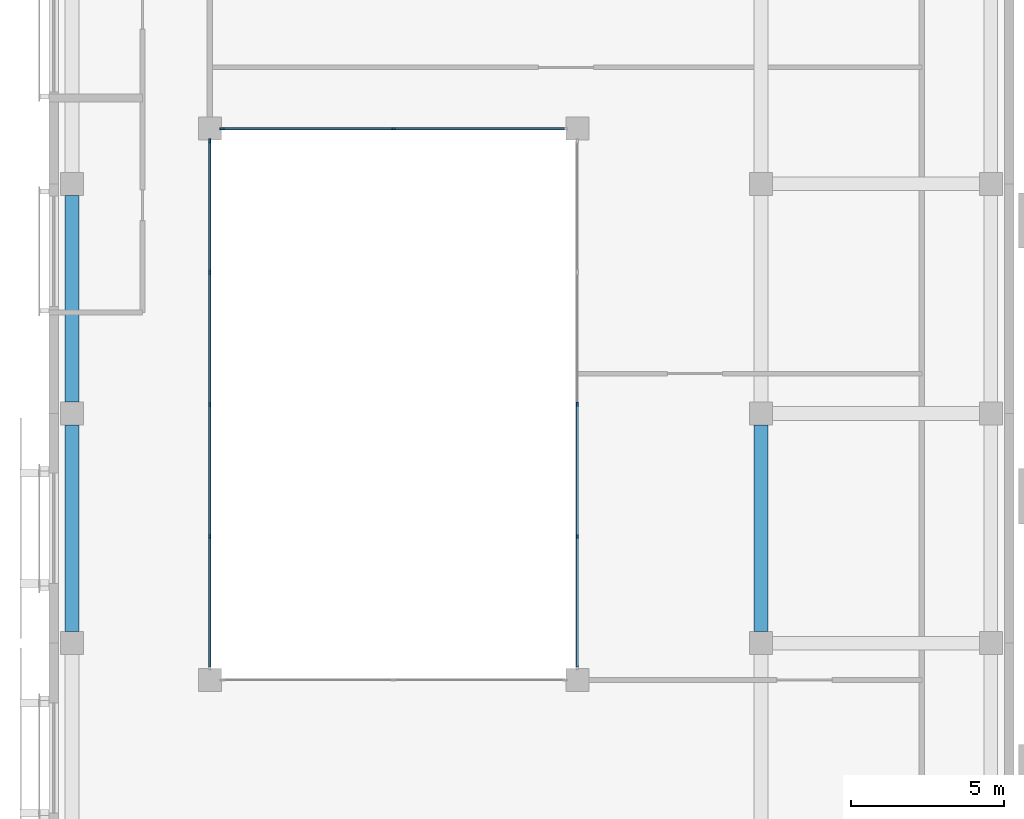
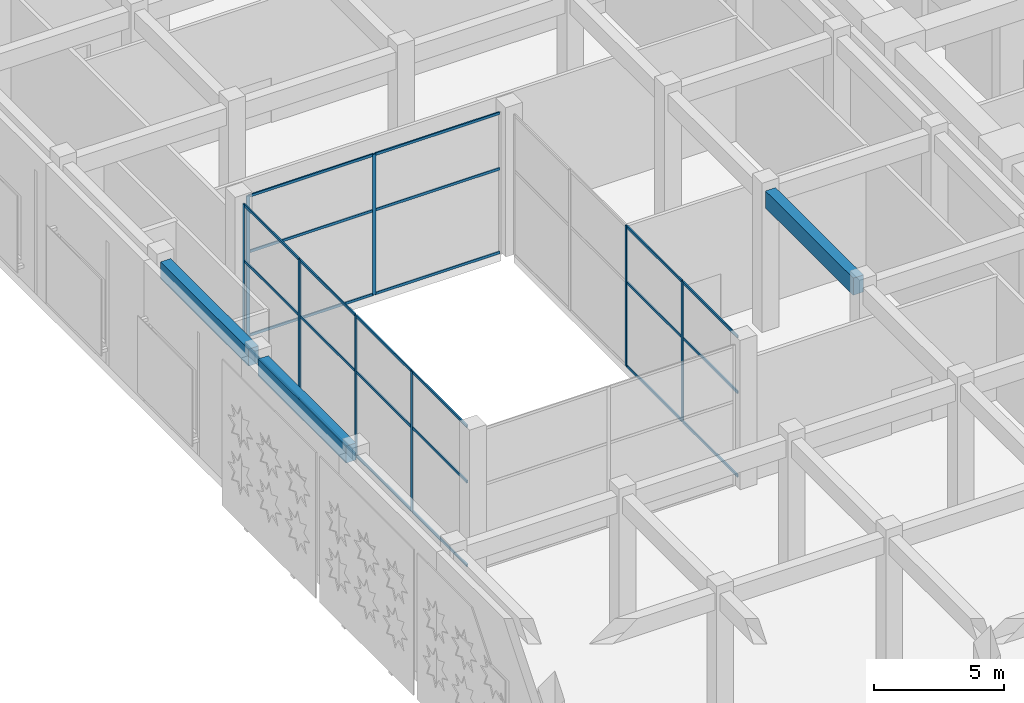
# One storey, part 3 of 42: 32 members, 3 beams, 3 elements without a shape of their own.
"""IFC4 building model written with IfcOpenShell, lengths in metres."""

from ifc_helpers import new_model, si_unit, direction, frame, origin, origin_2d, place, context, subcontext, project, spatial, rectangle, extrude, material, layer, layer_set, material_profile, profile_set, type_object, element, aggregate, save


model = new_model("IFC4")

# Units and contexts
model_context = context("Model", 3, precision=1e-05, world=origin(), true_north=direction((0.0, 1.0)))
body_context = subcontext(model_context, "Body", "Model", "MODEL_VIEW")
ifc_project = project(units=[si_unit("LENGTHUNIT", "METRE"), si_unit("AREAUNIT", "SQUARE_METRE"), si_unit("VOLUMEUNIT", "CUBIC_METRE"), si_unit("PLANEANGLEUNIT", "RADIAN"), si_unit("MASSUNIT", "GRAM", prefix="KILO")], contexts=[model_context])

# Site, building, storey
site_placement = place(None, origin())
site = spatial("IfcSite", under=ifc_project, at=site_placement, CompositionType="ELEMENT")
building_placement = place(site_placement, origin())
building = spatial("IfcBuilding", under=site, at=building_placement, Name="Tessera Arch", CompositionType="ELEMENT")
storey_placement = place(building_placement, frame((0.0, 0.0, 14.0)))
storey = spatial("IfcBuildingStorey", under=building, at=storey_placement, Name="L02", CompositionType="ELEMENT", Elevation=14.0)

# Curtain wall, members
ifc_material_1 = material(Name="Aluminium and clear glass", Category="aluminium")
ifc_layer = layer(ifc_material_1, 0.1201171875)
ifc_layer_set = layer_set([ifc_layer], Name="Courtyard curtain wall")
curtain_wall_type = type_object("IfcCurtainWallType", Name="Courtyard curtain wall", PredefinedType="NOTDEFINED", material=ifc_layer_set)
curtain_wall_1_placement = place(storey_placement, origin())
curtain_wall_1 = element("IfcCurtainWall", 1, at=curtain_wall_1_placement, inside=storey, type_object=curtain_wall_type, Name="Courtyard curtain wall L02 2", PredefinedType="NOTDEFINED")
ifc_material_2 = material(Name="Aluminium alloy anodised", Category="aluminium")
ifc_material_profile_1 = material_profile(ifc_material_2, rectangle(XDim=0.06005859375, YDim=0.14990234375, at=origin_2d()), Name="Courtyard mullion")
ifc_profile_set_1 = profile_set([ifc_material_profile_1], Name="Aluminium alloy anodised")
member_type_1 = type_object("IfcMemberType", Name="Courtyard mullion", PredefinedType="MULLION", material=ifc_profile_set_1)
member_1_placement = place(storey_placement, frame((-15.300048828125, 16.6875, 0.0), z_axis=(0.0, 0.0, 1.0), x_axis=(-1.0, 0.0, 0.0)))
member_1 = element("IfcMember", 2, at=member_1_placement, type_object=member_type_1, Name="MCW1 mullion 2", PredefinedType="MULLION", context=body_context, shape_type="SweptSolid", body=[
    extrude(rectangle(XDim=0.06005859375, YDim=0.14990234375, at=origin_2d()), origin(), (0.0, 0.0, 1.0), 6.590087890625),
])
member_2_placement = place(storey_placement, frame((-15.300048828125, 21.0, 0.0), z_axis=(0.0, 0.0, 1.0), x_axis=(-1.0, 0.0, 0.0)))
member_2 = element("IfcMember", 3, at=member_2_placement, type_object=member_type_1, Name="MCW1 mullion 3", PredefinedType="MULLION", context=body_context, shape_type="SweptSolid", body=[
    extrude(rectangle(XDim=0.06005859375, YDim=0.14990234375, at=origin_2d()), origin(), (0.0, 0.0, 1.0), 6.590087890625),
])

curtain_wall_2_placement = place(storey_placement, origin())
curtain_wall_2 = element("IfcCurtainWall", 4, at=curtain_wall_2_placement, inside=storey, type_object=curtain_wall_type, Name="Courtyard curtain wall L02 3", PredefinedType="NOTDEFINED")
member_3_placement = place(storey_placement, frame((-21.300048828125, 30.0, 0.0), z_axis=(0.0, 0.0, 1.0), x_axis=(0.0, -1.0, 0.0)))
member_3 = element("IfcMember", 5, at=member_3_placement, type_object=member_type_1, Name="MCW1 mullion 2", PredefinedType="MULLION", context=body_context, shape_type="SweptSolid", body=[
    extrude(rectangle(XDim=0.06005859375, YDim=0.14990234375, at=origin_2d()), origin(), (0.0, 0.0, 1.0), 6.590087890625),
])
member_4_placement = place(storey_placement, frame((-26.89501953125, 30.0, 0.0), z_axis=(0.0, 0.0, 1.0), x_axis=(0.0, -1.0, 0.0)))
member_4 = element("IfcMember", 6, at=member_4_placement, type_object=member_type_1, Name="MCW1 mullion 3", PredefinedType="MULLION", context=body_context, shape_type="SweptSolid", body=[
    extrude(rectangle(XDim=0.06005859375, YDim=0.14990234375, at=origin_2d()), origin(), (0.0, 0.0, 1.0), 6.590087890625),
])

curtain_wall_3_placement = place(storey_placement, origin())
curtain_wall_3 = element("IfcCurtainWall", 7, at=curtain_wall_3_placement, inside=storey, type_object=curtain_wall_type, Name="Courtyard curtain wall L02 4", PredefinedType="NOTDEFINED")
member_5_placement = place(storey_placement, frame((-27.300048828125, 29.594970703125, 0.0), z_axis=(0.0, 0.0, 1.0), x_axis=(1.0, 0.0, 0.0)))
member_5 = element("IfcMember", 8, at=member_5_placement, type_object=member_type_1, Name="MCW1 mullion 1", PredefinedType="MULLION", context=body_context, shape_type="SweptSolid", body=[
    extrude(rectangle(XDim=0.06005859375, YDim=0.14990234375, at=origin_2d()), origin(), (0.0, 0.0, 1.0), 6.590087890625),
])
member_6_placement = place(storey_placement, frame((-27.300048828125, 25.3125, 0.0), z_axis=(0.0, 0.0, 1.0), x_axis=(1.0, 0.0, 0.0)))
member_6 = element("IfcMember", 9, at=member_6_placement, type_object=member_type_1, Name="MCW1 mullion 2", PredefinedType="MULLION", context=body_context, shape_type="SweptSolid", body=[
    extrude(rectangle(XDim=0.06005859375, YDim=0.14990234375, at=origin_2d()), origin(), (0.0, 0.0, 1.0), 6.590087890625),
])
member_7_placement = place(storey_placement, frame((-27.300048828125, 21.0, 0.0), z_axis=(0.0, 0.0, 1.0), x_axis=(1.0, 0.0, 0.0)))
member_7 = element("IfcMember", 10, at=member_7_placement, type_object=member_type_1, Name="MCW1 mullion 3", PredefinedType="MULLION", context=body_context, shape_type="SweptSolid", body=[
    extrude(rectangle(XDim=0.06005859375, YDim=0.14990234375, at=origin_2d()), origin(), (0.0, 0.0, 1.0), 6.590087890625),
])
member_8_placement = place(storey_placement, frame((-27.300048828125, 16.6875, 0.0), z_axis=(0.0, 0.0, 1.0), x_axis=(1.0, 0.0, 0.0)))
member_8 = element("IfcMember", 11, at=member_8_placement, type_object=member_type_1, Name="MCW1 mullion 4", PredefinedType="MULLION", context=body_context, shape_type="SweptSolid", body=[
    extrude(rectangle(XDim=0.06005859375, YDim=0.14990234375, at=origin_2d()), origin(), (0.0, 0.0, 1.0), 6.590087890625),
])

# Member
ifc_material_3 = material(Name="Aluminium alloy anodised", Category="aluminium")
ifc_material_profile_2 = material_profile(ifc_material_3, rectangle(XDim=0.06005859375, YDim=0.1201171875, at=origin_2d()), Name="Courtyard transom")
ifc_profile_set_2 = profile_set([ifc_material_profile_2], Name="Aluminium alloy anodised")
member_type_2 = type_object("IfcMemberType", Name="Courtyard transom", PredefinedType="USERDEFINED", material=ifc_profile_set_2)
member_9_placement = place(storey_placement, frame((-15.300048828125, 12.43505859375, 0.030029296875), z_axis=(0.0, 1.0, 0.0), x_axis=(-1.0, 0.0, 0.0)))
member_9 = element("IfcMember", 12, at=member_9_placement, type_object=member_type_2, Name="MCW1 transom 1.1", ObjectType="TRANSOM", PredefinedType="USERDEFINED", context=body_context, shape_type="SweptSolid", body=[
    extrude(rectangle(XDim=0.06005859375, YDim=0.1201171875, at=origin_2d()), origin(), (0.0, 0.0, 1.0), 4.222412109375),
])

member_10_placement = place(storey_placement, frame((-15.300048828125, 12.43505859375, 3.9541015625), z_axis=(0.0, 1.0, 0.0), x_axis=(-1.0, 0.0, 0.0)))
member_10 = element("IfcMember", 13, at=member_10_placement, type_object=member_type_2, Name="MCW1 transom 1.2", ObjectType="TRANSOM", PredefinedType="USERDEFINED", context=body_context, shape_type="SweptSolid", body=[
    extrude(rectangle(XDim=0.06005859375, YDim=0.1201171875, at=origin_2d()), origin(), (0.0, 0.0, 1.0), 4.222412109375),
])

member_11_placement = place(storey_placement, frame((-15.300048828125, 12.43505859375, 6.56005859375), z_axis=(0.0, 1.0, 0.0), x_axis=(-1.0, 0.0, 0.0)))
member_11 = element("IfcMember", 14, at=member_11_placement, type_object=member_type_2, Name="MCW1 transom 1.3", ObjectType="TRANSOM", PredefinedType="USERDEFINED", context=body_context, shape_type="SweptSolid", body=[
    extrude(rectangle(XDim=0.06005859375, YDim=0.1201171875, at=origin_2d()), origin(), (0.0, 0.0, 1.0), 4.222412109375),
])

member_12_placement = place(storey_placement, frame((-15.300048828125, 16.717529296875, 0.030029296875), z_axis=(0.0, 1.0, 0.0), x_axis=(-1.0, 0.0, 0.0)))
member_12 = element("IfcMember", 15, at=member_12_placement, type_object=member_type_2, Name="MCW1 transom 2.1", ObjectType="TRANSOM", PredefinedType="USERDEFINED", context=body_context, shape_type="SweptSolid", body=[
    extrude(rectangle(XDim=0.06005859375, YDim=0.1201171875, at=origin_2d()), origin(), (0.0, 0.0, 1.0), 4.25244140625),
])

member_13_placement = place(storey_placement, frame((-15.300048828125, 16.717529296875, 3.9541015625), z_axis=(0.0, 1.0, 0.0), x_axis=(-1.0, 0.0, 0.0)))
member_13 = element("IfcMember", 16, at=member_13_placement, type_object=member_type_2, Name="MCW1 transom 2.2", ObjectType="TRANSOM", PredefinedType="USERDEFINED", context=body_context, shape_type="SweptSolid", body=[
    extrude(rectangle(XDim=0.06005859375, YDim=0.1201171875, at=origin_2d()), origin(), (0.0, 0.0, 1.0), 4.25244140625),
])

member_14_placement = place(storey_placement, frame((-15.300048828125, 16.717529296875, 6.56005859375), z_axis=(0.0, 1.0, 0.0), x_axis=(-1.0, 0.0, 0.0)))
member_14 = element("IfcMember", 17, at=member_14_placement, type_object=member_type_2, Name="MCW1 transom 2.3", ObjectType="TRANSOM", PredefinedType="USERDEFINED", context=body_context, shape_type="SweptSolid", body=[
    extrude(rectangle(XDim=0.06005859375, YDim=0.1201171875, at=origin_2d()), origin(), (0.0, 0.0, 1.0), 4.25244140625),
])

aggregate(curtain_wall_1, [member_1, member_2, member_9, member_10, member_11, member_12, member_13, member_14])

member_15_placement = place(storey_placement, frame((-15.735107421875, 30.0, 0.030029296875), z_axis=(-1.0, 0.0, 0.0), x_axis=(0.0, -1.0, 0.0)))
member_15 = element("IfcMember", 18, at=member_15_placement, type_object=member_type_2, Name="MCW1 transom 1.1", ObjectType="TRANSOM", PredefinedType="USERDEFINED", context=body_context, shape_type="SweptSolid", body=[
    extrude(rectangle(XDim=0.06005859375, YDim=0.1201171875, at=origin_2d()), origin(), (0.0, 0.0, 1.0), 5.534912109375),
])

member_16_placement = place(storey_placement, frame((-15.735107421875, 30.0, 3.9541015625), z_axis=(-1.0, 0.0, 0.0), x_axis=(0.0, -1.0, 0.0)))
member_16 = element("IfcMember", 19, at=member_16_placement, type_object=member_type_2, Name="MCW1 transom 1.2", ObjectType="TRANSOM", PredefinedType="USERDEFINED", context=body_context, shape_type="SweptSolid", body=[
    extrude(rectangle(XDim=0.06005859375, YDim=0.1201171875, at=origin_2d()), origin(), (0.0, 0.0, 1.0), 5.534912109375),
])

member_17_placement = place(storey_placement, frame((-15.735107421875, 30.0, 6.56005859375), z_axis=(-1.0, 0.0, 0.0), x_axis=(0.0, -1.0, 0.0)))
member_17 = element("IfcMember", 20, at=member_17_placement, type_object=member_type_2, Name="MCW1 transom 1.3", ObjectType="TRANSOM", PredefinedType="USERDEFINED", context=body_context, shape_type="SweptSolid", body=[
    extrude(rectangle(XDim=0.06005859375, YDim=0.1201171875, at=origin_2d()), origin(), (0.0, 0.0, 1.0), 5.534912109375),
])

member_18_placement = place(storey_placement, frame((-21.330078125, 30.0, 0.030029296875), z_axis=(-1.0, 0.0, 0.0), x_axis=(0.0, -1.0, 0.0)))
member_18 = element("IfcMember", 21, at=member_18_placement, type_object=member_type_2, Name="MCW1 transom 2.1", ObjectType="TRANSOM", PredefinedType="USERDEFINED", context=body_context, shape_type="SweptSolid", body=[
    extrude(rectangle(XDim=0.06005859375, YDim=0.1201171875, at=origin_2d()), origin(), (0.0, 0.0, 1.0), 5.534912109375),
])

member_19_placement = place(storey_placement, frame((-21.330078125, 30.0, 3.9541015625), z_axis=(-1.0, 0.0, 0.0), x_axis=(0.0, -1.0, 0.0)))
member_19 = element("IfcMember", 22, at=member_19_placement, type_object=member_type_2, Name="MCW1 transom 2.2", ObjectType="TRANSOM", PredefinedType="USERDEFINED", context=body_context, shape_type="SweptSolid", body=[
    extrude(rectangle(XDim=0.06005859375, YDim=0.1201171875, at=origin_2d()), origin(), (0.0, 0.0, 1.0), 5.534912109375),
])

member_20_placement = place(storey_placement, frame((-21.330078125, 30.0, 6.56005859375), z_axis=(-1.0, 0.0, 0.0), x_axis=(0.0, -1.0, 0.0)))
member_20 = element("IfcMember", 23, at=member_20_placement, type_object=member_type_2, Name="MCW1 transom 2.3", ObjectType="TRANSOM", PredefinedType="USERDEFINED", context=body_context, shape_type="SweptSolid", body=[
    extrude(rectangle(XDim=0.06005859375, YDim=0.1201171875, at=origin_2d()), origin(), (0.0, 0.0, 1.0), 5.534912109375),
])

aggregate(curtain_wall_2, [member_3, member_4, member_15, member_16, member_17, member_18, member_19, member_20])

member_21_placement = place(storey_placement, frame((-27.300048828125, 29.56494140625, 0.030029296875), z_axis=(0.0, -1.0, 0.0), x_axis=(1.0, 0.0, 0.0)))
member_21 = element("IfcMember", 24, at=member_21_placement, type_object=member_type_2, Name="MCW1 transom 1.1", ObjectType="TRANSOM", PredefinedType="USERDEFINED", context=body_context, shape_type="SweptSolid", body=[
    extrude(rectangle(XDim=0.06005859375, YDim=0.1201171875, at=origin_2d()), origin(), (0.0, 0.0, 1.0), 4.222412109375),
])

member_22_placement = place(storey_placement, frame((-27.300048828125, 29.56494140625, 3.9541015625), z_axis=(0.0, -1.0, 0.0), x_axis=(1.0, 0.0, 0.0)))
member_22 = element("IfcMember", 25, at=member_22_placement, type_object=member_type_2, Name="MCW1 transom 1.2", ObjectType="TRANSOM", PredefinedType="USERDEFINED", context=body_context, shape_type="SweptSolid", body=[
    extrude(rectangle(XDim=0.06005859375, YDim=0.1201171875, at=origin_2d()), origin(), (0.0, 0.0, 1.0), 4.222412109375),
])

member_23_placement = place(storey_placement, frame((-27.300048828125, 29.56494140625, 6.56005859375), z_axis=(0.0, -1.0, 0.0), x_axis=(1.0, 0.0, 0.0)))
member_23 = element("IfcMember", 26, at=member_23_placement, type_object=member_type_2, Name="MCW1 transom 1.3", ObjectType="TRANSOM", PredefinedType="USERDEFINED", context=body_context, shape_type="SweptSolid", body=[
    extrude(rectangle(XDim=0.06005859375, YDim=0.1201171875, at=origin_2d()), origin(), (0.0, 0.0, 1.0), 4.222412109375),
])

member_24_placement = place(storey_placement, frame((-27.300048828125, 25.282470703125, 0.030029296875), z_axis=(0.0, -1.0, 0.0), x_axis=(1.0, 0.0, 0.0)))
member_24 = element("IfcMember", 27, at=member_24_placement, type_object=member_type_2, Name="MCW1 transom 2.1", ObjectType="TRANSOM", PredefinedType="USERDEFINED", context=body_context, shape_type="SweptSolid", body=[
    extrude(rectangle(XDim=0.06005859375, YDim=0.1201171875, at=origin_2d()), origin(), (0.0, 0.0, 1.0), 4.25244140625),
])

member_25_placement = place(storey_placement, frame((-27.300048828125, 25.282470703125, 3.9541015625), z_axis=(0.0, -1.0, 0.0), x_axis=(1.0, 0.0, 0.0)))
member_25 = element("IfcMember", 28, at=member_25_placement, type_object=member_type_2, Name="MCW1 transom 2.2", ObjectType="TRANSOM", PredefinedType="USERDEFINED", context=body_context, shape_type="SweptSolid", body=[
    extrude(rectangle(XDim=0.06005859375, YDim=0.1201171875, at=origin_2d()), origin(), (0.0, 0.0, 1.0), 4.25244140625),
])

member_26_placement = place(storey_placement, frame((-27.300048828125, 25.282470703125, 6.56005859375), z_axis=(0.0, -1.0, 0.0), x_axis=(1.0, 0.0, 0.0)))
member_26 = element("IfcMember", 29, at=member_26_placement, type_object=member_type_2, Name="MCW1 transom 2.3", ObjectType="TRANSOM", PredefinedType="USERDEFINED", context=body_context, shape_type="SweptSolid", body=[
    extrude(rectangle(XDim=0.06005859375, YDim=0.1201171875, at=origin_2d()), origin(), (0.0, 0.0, 1.0), 4.25244140625),
])

member_27_placement = place(storey_placement, frame((-27.300048828125, 20.969970703125, 0.030029296875), z_axis=(0.0, -1.0, 0.0), x_axis=(1.0, 0.0, 0.0)))
member_27 = element("IfcMember", 30, at=member_27_placement, type_object=member_type_2, Name="MCW1 transom 3.1", ObjectType="TRANSOM", PredefinedType="USERDEFINED", context=body_context, shape_type="SweptSolid", body=[
    extrude(rectangle(XDim=0.06005859375, YDim=0.1201171875, at=origin_2d()), origin(), (0.0, 0.0, 1.0), 4.25244140625),
])

member_28_placement = place(storey_placement, frame((-27.300048828125, 20.969970703125, 3.9541015625), z_axis=(0.0, -1.0, 0.0), x_axis=(1.0, 0.0, 0.0)))
member_28 = element("IfcMember", 31, at=member_28_placement, type_object=member_type_2, Name="MCW1 transom 3.2", ObjectType="TRANSOM", PredefinedType="USERDEFINED", context=body_context, shape_type="SweptSolid", body=[
    extrude(rectangle(XDim=0.06005859375, YDim=0.1201171875, at=origin_2d()), origin(), (0.0, 0.0, 1.0), 4.25244140625),
])

member_29_placement = place(storey_placement, frame((-27.300048828125, 20.969970703125, 6.56005859375), z_axis=(0.0, -1.0, 0.0), x_axis=(1.0, 0.0, 0.0)))
member_29 = element("IfcMember", 32, at=member_29_placement, type_object=member_type_2, Name="MCW1 transom 3.3", ObjectType="TRANSOM", PredefinedType="USERDEFINED", context=body_context, shape_type="SweptSolid", body=[
    extrude(rectangle(XDim=0.06005859375, YDim=0.1201171875, at=origin_2d()), origin(), (0.0, 0.0, 1.0), 4.25244140625),
])

member_30_placement = place(storey_placement, frame((-27.300048828125, 16.657470703125, 0.030029296875), z_axis=(0.0, -1.0, 0.0), x_axis=(1.0, 0.0, 0.0)))
member_30 = element("IfcMember", 33, at=member_30_placement, type_object=member_type_2, Name="MCW1 transom 4.1", ObjectType="TRANSOM", PredefinedType="USERDEFINED", context=body_context, shape_type="SweptSolid", body=[
    extrude(rectangle(XDim=0.06005859375, YDim=0.1201171875, at=origin_2d()), origin(), (0.0, 0.0, 1.0), 4.222412109375),
])

member_31_placement = place(storey_placement, frame((-27.300048828125, 16.657470703125, 3.9541015625), z_axis=(0.0, -1.0, 0.0), x_axis=(1.0, 0.0, 0.0)))
member_31 = element("IfcMember", 34, at=member_31_placement, type_object=member_type_2, Name="MCW1 transom 4.2", ObjectType="TRANSOM", PredefinedType="USERDEFINED", context=body_context, shape_type="SweptSolid", body=[
    extrude(rectangle(XDim=0.06005859375, YDim=0.1201171875, at=origin_2d()), origin(), (0.0, 0.0, 1.0), 4.222412109375),
])

member_32_placement = place(storey_placement, frame((-27.300048828125, 16.657470703125, 6.56005859375), z_axis=(0.0, -1.0, 0.0), x_axis=(1.0, 0.0, 0.0)))
member_32 = element("IfcMember", 35, at=member_32_placement, type_object=member_type_2, Name="MCW1 transom 4.3", ObjectType="TRANSOM", PredefinedType="USERDEFINED", context=body_context, shape_type="SweptSolid", body=[
    extrude(rectangle(XDim=0.06005859375, YDim=0.1201171875, at=origin_2d()), origin(), (0.0, 0.0, 1.0), 4.222412109375),
])

aggregate(curtain_wall_3, [member_5, member_6, member_7, member_8, member_21, member_22, member_23, member_24, member_25, member_26, member_27, member_28, member_29, member_30, member_31, member_32])

# Beams
ifc_material_4 = material(Name="Concrete C40/50", Category="concrete")
ifc_material_profile_3 = material_profile(ifc_material_4, rectangle(XDim=0.449951171875, YDim=0.800048828125, at=origin_2d()), Name="Museum beam 450 x 800 Concrete C40/50")
ifc_profile_set_3 = profile_set([ifc_material_profile_3], Name="Concrete C40/50")
beam_type = type_object("IfcBeamType", Name="Museum beam 450 x 800 Concrete C40/50", PredefinedType="BEAM", material=ifc_profile_set_3)
for number, where, z_axis, x_axis, name in (
    (36, (-31.800048828125, 13.574951171875, 6.18994140625), (0.0, 1.0, 0.0), (-1.0, 0.0, 0.0), "Museum beam L02 6"),
    (37, (-31.800048828125, 21.074951171875, 6.18994140625), (0.0, 1.0, 0.0), (-1.0, 0.0, 0.0), "Museum beam L02 7"),
    (38, (-9.300048828125, 13.574951171875, 6.18994140625), (0.0, 1.0, 0.0), (-1.0, 0.0, 0.0), "Museum beam L02 28"),
):
    element("IfcBeam", number, at=place(storey_placement, frame(where, z_axis=z_axis, x_axis=x_axis)), inside=storey, type_object=beam_type, Name=name, PredefinedType="BEAM", context=body_context, shape_type="SweptSolid", body=[
        extrude(rectangle(XDim=0.449951171875, YDim=0.800048828125, at=origin_2d()), origin(), (0.0, 0.0, 1.0), 6.75),
    ])

save(model, "model.ifc")
